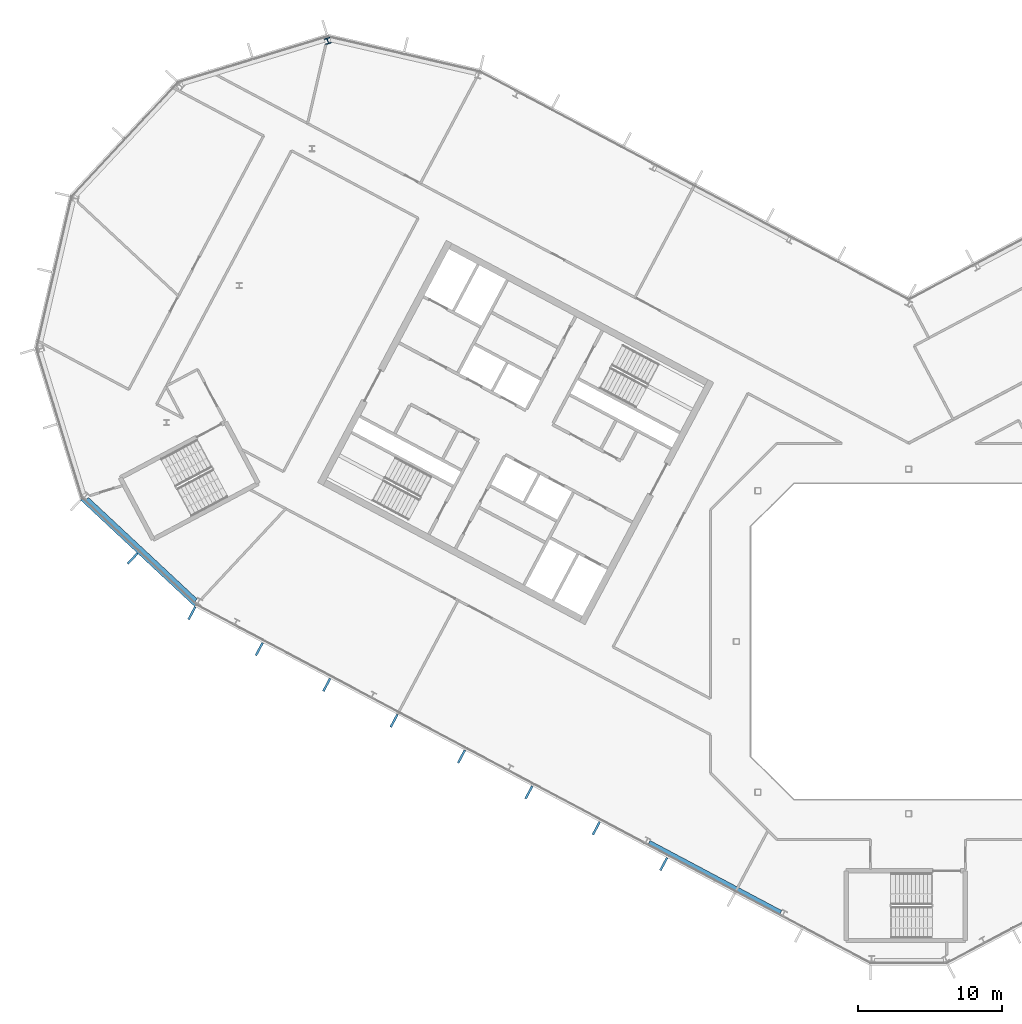
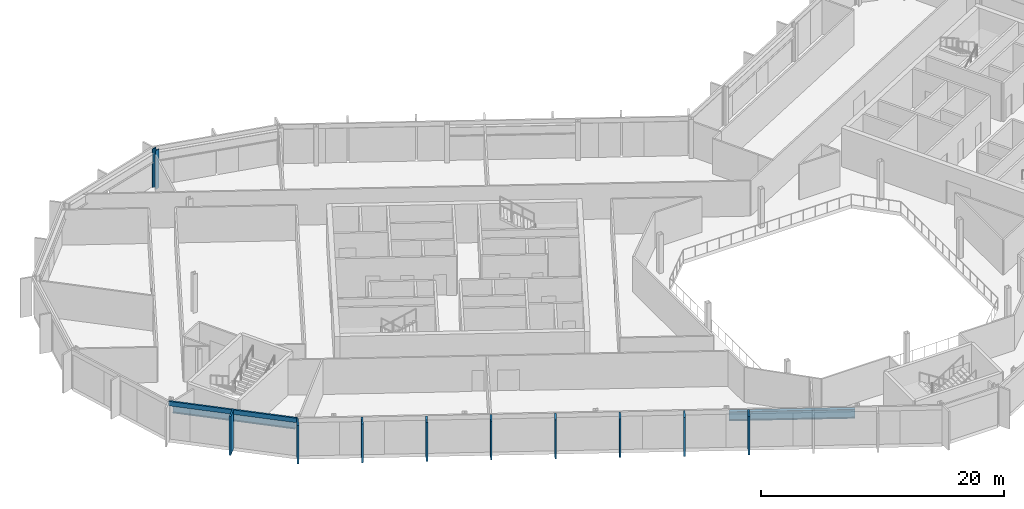
# One storey, part 8 of 26: 10 members, 2 beams, 1 column, 2 elements without a shape of their own.
"""IFC4 building model written with IfcOpenShell, lengths in metres."""

from ifc_helpers import new_model, si_unit, direction, frame, origin, origin_2d, place, context, subcontext, project, spatial, rectangle, i_section, extrude, material, layer, layer_set, material_profile, profile_set, type_object, element, aggregate, save


model = new_model("IFC4")

# Units and contexts
model_context = context("Model", 3, precision=1e-05, world=origin(), true_north=direction((0.0, 1.0)))
body_context = subcontext(model_context, "Body", "Model", "MODEL_VIEW")
ifc_project = project(units=[si_unit("LENGTHUNIT", "METRE"), si_unit("AREAUNIT", "SQUARE_METRE"), si_unit("VOLUMEUNIT", "CUBIC_METRE"), si_unit("PLANEANGLEUNIT", "RADIAN"), si_unit("MASSUNIT", "GRAM", prefix="KILO")], contexts=[model_context])

# Site, building, storey
site_placement = place(None, origin())
site = spatial("IfcSite", under=ifc_project, at=site_placement, CompositionType="ELEMENT")
building_placement = place(site_placement, origin())
building = spatial("IfcBuilding", under=site, at=building_placement, Name="Cormorant Relay Tower", CompositionType="ELEMENT")
storey_placement = place(building_placement, frame((0.0, 0.0, 277.5)))
storey = spatial("IfcBuildingStorey", under=building, at=storey_placement, Name="L62", CompositionType="ELEMENT", Elevation=277.5)

# Column
ifc_material_1 = material(Name="Steel ASTM A992 (Fy 345 MPa)", Category="steel")
ifc_material_profile_1 = material_profile(ifc_material_1, i_section(OverallWidth=0.40380859375, OverallDepth=0.406494140625, WebThickness=0.027099609375, FlangeThickness=0.043701171875, FilletRadius=0.01513671875, at=origin_2d()), Name="W360x347")
ifc_profile_set_1 = profile_set([ifc_material_profile_1], Name="Steel ASTM A992 (Fy 345 MPa)")
column_type = type_object("IfcColumnType", Name="Column W360x347", PredefinedType="COLUMN", material=ifc_profile_set_1)
column_placement = place(storey_placement, frame((-40.455078125, 41.823974609375, 0.0), z_axis=(0.0, 0.0, 1.0), x_axis=(-0.956304755963, -0.292371704723, 0.0)))
element("IfcColumn", 1, at=column_placement, inside=storey, type_object=column_type, Name="Column L62-043", PredefinedType="COLUMN", context=body_context, shape_type="SweptSolid", body=[
    extrude(i_section(OverallWidth=0.40380859375, OverallDepth=0.406494140625, WebThickness=0.027099609375, FlangeThickness=0.043701171875, FilletRadius=0.01513671875, at=origin_2d()), origin(), (0.0, 0.0, 1.0), 3.89990234375),
])

# Curtain wall, member
ifc_material_2 = material(Name="Aluminium 6063-T6 anodised bronze", Category="aluminium")
ifc_layer = layer(ifc_material_2, 0.199951171875)
ifc_layer_set = layer_set([ifc_layer], Name="CW1 unitised bronze curtain wall with vertical fins")
curtain_wall_type = type_object("IfcCurtainWallType", Name="CW1 unitised bronze curtain wall with vertical fins", PredefinedType="NOTDEFINED", material=ifc_layer_set)
curtain_wall_1_placement = place(storey_placement, origin())
curtain_wall_1 = element("IfcCurtainWall", 2, at=curtain_wall_1_placement, inside=storey, type_object=curtain_wall_type, Name="CW1 curtain wall 15", PredefinedType="NOTDEFINED")
ifc_material_3 = material(Name="Aluminium 6063-T6 anodised bronze", Category="aluminium")
ifc_material_profile_2 = material_profile(ifc_material_3, rectangle(XDim=0.14990234375, YDim=1.0, at=origin_2d()), Name="AL 150x1000")
ifc_profile_set_2 = profile_set([ifc_material_profile_2], Name="Aluminium 6063-T6 anodised bronze")
member_type_1 = type_object("IfcMemberType", Name="CW1 bronze fin mullion 150 x 1000", PredefinedType="MULLION", material=ifc_profile_set_2)
member_1_placement = place(storey_placement, frame((-54.0439453125, 5.779296875, 0.0), z_axis=(0.0, 0.0, 1.0), x_axis=(0.731353701619, -0.681998360062, 0.0)))
member_1 = element("IfcMember", 3, at=member_1_placement, type_object=member_type_1, Name="CW1 fin 15.2", PredefinedType="MULLION", context=body_context, shape_type="SweptSolid", body=[
    extrude(rectangle(XDim=0.14990234375, YDim=1.0, at=origin_2d()), origin(), (0.0, 0.0, 1.0), 3.89990234375),
])

# Curtain wall, members
curtain_wall_2_placement = place(storey_placement, origin())
curtain_wall_2 = element("IfcCurtainWall", 4, at=curtain_wall_2_placement, inside=storey, type_object=curtain_wall_type, Name="CW1 curtain wall 16", PredefinedType="NOTDEFINED")
member_2_placement = place(storey_placement, frame((-49.920166015625, 1.96630859375, 0.0), z_axis=(0.0, 0.0, 1.0), x_axis=(0.882947592859, -0.469471562786, 0.0)))
member_2 = element("IfcMember", 5, at=member_2_placement, type_object=member_type_1, Name="CW1 fin 16.1", PredefinedType="MULLION", context=body_context, shape_type="SweptSolid", body=[
    extrude(rectangle(XDim=0.14990234375, YDim=1.0, at=origin_2d()), origin(), (0.0, 0.0, 1.0), 3.89990234375),
])
member_3_placement = place(storey_placement, frame((-45.225830078125, -0.52978515625, 0.0), z_axis=(0.0, 0.0, 1.0), x_axis=(0.882947592859, -0.469471562786, 0.0)))
member_3 = element("IfcMember", 6, at=member_3_placement, type_object=member_type_1, Name="CW1 fin 16.2", PredefinedType="MULLION", context=body_context, shape_type="SweptSolid", body=[
    extrude(rectangle(XDim=0.14990234375, YDim=1.0, at=origin_2d()), origin(), (0.0, 0.0, 1.0), 3.89990234375),
])
member_4_placement = place(storey_placement, frame((-40.531494140625, -3.025634765625, 0.0), z_axis=(0.0, 0.0, 1.0), x_axis=(0.882947592859, -0.469471562786, 0.0)))
member_4 = element("IfcMember", 7, at=member_4_placement, type_object=member_type_1, Name="CW1 fin 16.3", PredefinedType="MULLION", context=body_context, shape_type="SweptSolid", body=[
    extrude(rectangle(XDim=0.14990234375, YDim=1.0, at=origin_2d()), origin(), (0.0, 0.0, 1.0), 3.89990234375),
])
member_5_placement = place(storey_placement, frame((-35.83740234375, -5.521728515625, 0.0), z_axis=(0.0, 0.0, 1.0), x_axis=(0.882947592859, -0.469471562786, 0.0)))
member_5 = element("IfcMember", 8, at=member_5_placement, type_object=member_type_1, Name="CW1 fin 16.4", PredefinedType="MULLION", context=body_context, shape_type="SweptSolid", body=[
    extrude(rectangle(XDim=0.14990234375, YDim=1.0, at=origin_2d()), origin(), (0.0, 0.0, 1.0), 3.89990234375),
])
member_6_placement = place(storey_placement, frame((-31.14306640625, -8.017578125, 0.0), z_axis=(0.0, 0.0, 1.0), x_axis=(0.882947592859, -0.469471562786, 0.0)))
member_6 = element("IfcMember", 9, at=member_6_placement, type_object=member_type_1, Name="CW1 fin 16.5", PredefinedType="MULLION", context=body_context, shape_type="SweptSolid", body=[
    extrude(rectangle(XDim=0.14990234375, YDim=1.0, at=origin_2d()), origin(), (0.0, 0.0, 1.0), 3.89990234375),
])
member_7_placement = place(storey_placement, frame((-26.44873046875, -10.513671875, 0.0), z_axis=(0.0, 0.0, 1.0), x_axis=(0.882947592859, -0.469471562786, 0.0)))
member_7 = element("IfcMember", 10, at=member_7_placement, type_object=member_type_1, Name="CW1 fin 16.6", PredefinedType="MULLION", context=body_context, shape_type="SweptSolid", body=[
    extrude(rectangle(XDim=0.14990234375, YDim=1.0, at=origin_2d()), origin(), (0.0, 0.0, 1.0), 3.89990234375),
])
member_8_placement = place(storey_placement, frame((-21.754638671875, -13.009765625, 0.0), z_axis=(0.0, 0.0, 1.0), x_axis=(0.882947592859, -0.469471562786, 0.0)))
member_8 = element("IfcMember", 11, at=member_8_placement, type_object=member_type_1, Name="CW1 fin 16.7", PredefinedType="MULLION", context=body_context, shape_type="SweptSolid", body=[
    extrude(rectangle(XDim=0.14990234375, YDim=1.0, at=origin_2d()), origin(), (0.0, 0.0, 1.0), 3.89990234375),
])
member_9_placement = place(storey_placement, frame((-17.060302734375, -15.505615234375, 0.0), z_axis=(0.0, 0.0, 1.0), x_axis=(0.882947592859, -0.469471562786, 0.0)))
member_9 = element("IfcMember", 12, at=member_9_placement, type_object=member_type_1, Name="CW1 fin 16.8", PredefinedType="MULLION", context=body_context, shape_type="SweptSolid", body=[
    extrude(rectangle(XDim=0.14990234375, YDim=1.0, at=origin_2d()), origin(), (0.0, 0.0, 1.0), 3.89990234375),
])
aggregate(curtain_wall_2, [member_2, member_3, member_4, member_5, member_6, member_7, member_8, member_9])

# Member
ifc_material_4 = material(Name="Aluminium 6063-T6 anodised bronze", Category="aluminium")
ifc_material_profile_3 = material_profile(ifc_material_4, rectangle(XDim=0.159912109375, YDim=0.449951171875, at=origin_2d()), Name="AL 160x450")
ifc_profile_set_3 = profile_set([ifc_material_profile_3], Name="Aluminium 6063-T6 anodised bronze")
member_type_2 = type_object("IfcMemberType", Name="CW1 bronze transom 160 x 450", PredefinedType="USERDEFINED", material=ifc_profile_set_3)
member_10_placement = place(storey_placement, frame((-57.62353515625, 9.91015625, 3.675048828125), z_axis=(0.731358420696, -0.681993299437, 0.0), x_axis=(0.681993299437, 0.731358420696, 0.0)))
member_10 = element("IfcMember", 13, at=member_10_placement, type_object=member_type_2, Name="CW1 transom 15", ObjectType="TRANSOM", PredefinedType="USERDEFINED", context=body_context, shape_type="SweptSolid", body=[
    extrude(rectangle(XDim=0.159912109375, YDim=0.449951171875, at=origin_2d()), origin(), (0.0, 0.0, 1.0), 10.870361328125),
])

aggregate(curtain_wall_1, [member_1, member_10])

# Beams
ifc_material_5 = material(Name="Steel ASTM A992 (Fy 345 MPa)", Category="steel")
ifc_material_profile_4 = material_profile(ifc_material_5, i_section(OverallWidth=0.307373046875, OverallDepth=0.927001953125, WebThickness=0.019287109375, FlangeThickness=0.031982421875, FilletRadius=0.01904296875, at=origin_2d()), Name="W920x289")
ifc_profile_set_4 = profile_set([ifc_material_profile_4], Name="Steel ASTM A992 (Fy 345 MPa)")
beam_type = type_object("IfcBeamType", Name="Spandrel W920x289", PredefinedType="SPANDREL", material=ifc_profile_set_4)
beam_1_placement = place(storey_placement, frame((-57.234619140625, 9.921630859375, 3.076416015625), z_axis=(0.731364191518, -0.681987110849, 0.0), x_axis=(0.681987110849, 0.731364191518, 0.0)))
element("IfcBeam", 14, at=beam_1_placement, inside=storey, type_object=beam_type, Name="Spandrel beam L62-015", PredefinedType="SPANDREL", context=body_context, shape_type="SweptSolid", body=[
    extrude(i_section(OverallWidth=0.307373046875, OverallDepth=0.927001953125, WebThickness=0.019287109375, FlangeThickness=0.031982421875, FilletRadius=0.01904296875, at=origin_2d()), origin(), (0.0, 0.0, 1.0), 10.37841796875),
])
beam_2_placement = place(storey_placement, frame((-18.0869140625, -13.992919921875, 3.076416015625), z_axis=(0.882946088703, -0.469474391681, 0.0), x_axis=(0.469474391681, 0.882946088703, 0.0)))
element("IfcBeam", 15, at=beam_2_placement, inside=storey, type_object=beam_type, Name="Spandrel beam L62-016", PredefinedType="SPANDREL", context=body_context, shape_type="SweptSolid", body=[
    extrude(i_section(OverallWidth=0.307373046875, OverallDepth=0.927001953125, WebThickness=0.019287109375, FlangeThickness=0.031982421875, FilletRadius=0.01904296875, at=origin_2d()), origin(), (0.0, 0.0, 1.0), 10.401611328125),
])

save(model, "model.ifc")
